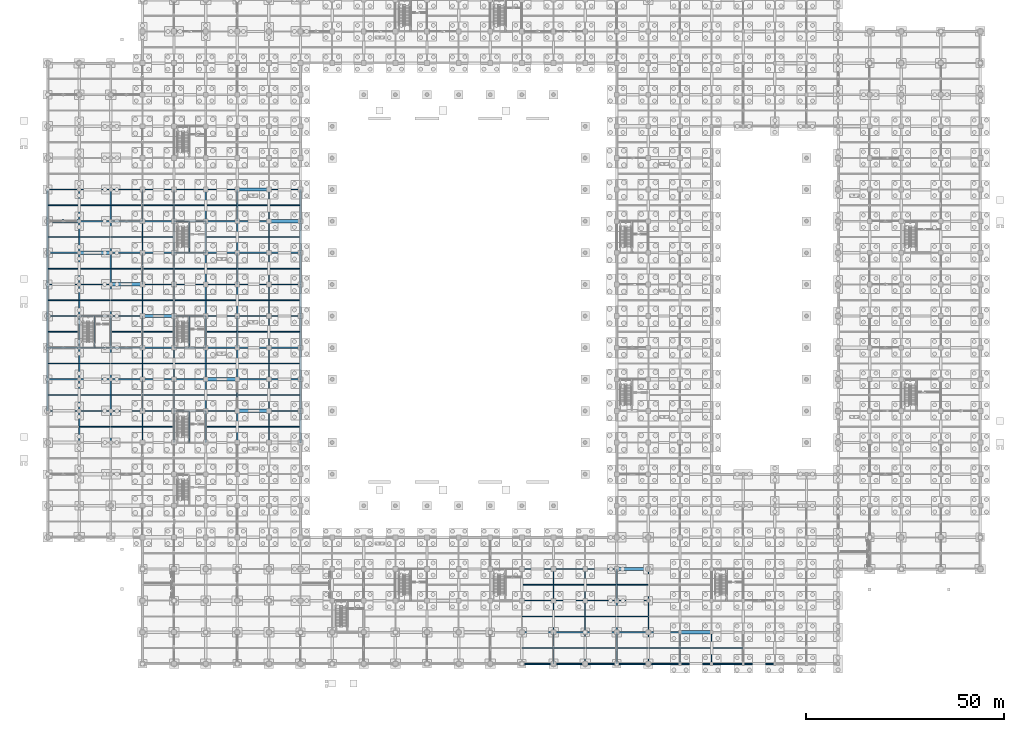
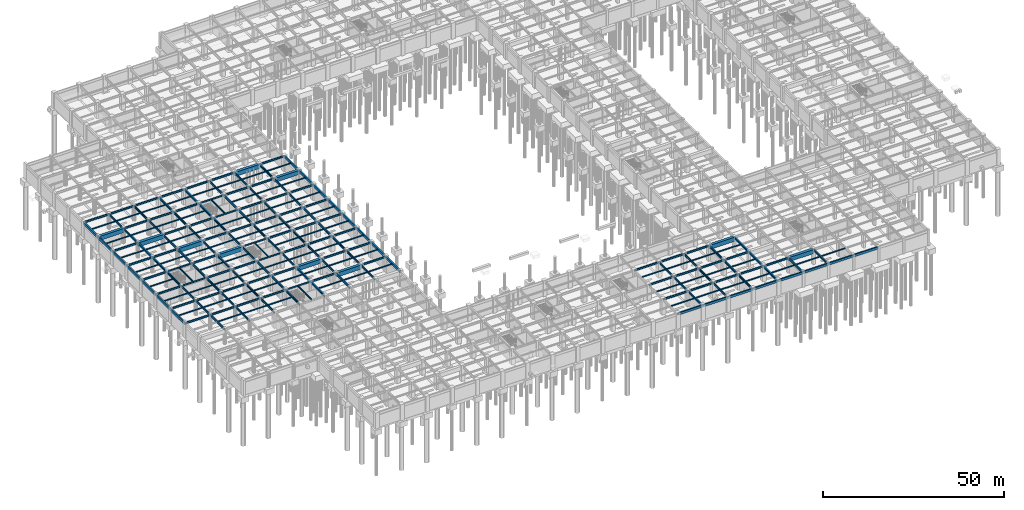
# One storey, part 60 of 97: 249 beams.
"""IFC4 building model written with IfcOpenShell, lengths in metres."""

from ifc_helpers import new_model, si_unit, direction, frame, origin, origin_2d, place, context, subcontext, project, spatial, rectangle, i_section, extrude, material, material_profile, profile_set, type_object, element, save


model = new_model("IFC4")

# Units and contexts
model_context = context("Model", 3, precision=1e-05, world=origin(), true_north=direction((0.0, 1.0)))
body_context = subcontext(model_context, "Body", "Model", "MODEL_VIEW")
ifc_project = project(units=[si_unit("LENGTHUNIT", "METRE"), si_unit("AREAUNIT", "SQUARE_METRE"), si_unit("VOLUMEUNIT", "CUBIC_METRE"), si_unit("PLANEANGLEUNIT", "RADIAN"), si_unit("MASSUNIT", "GRAM", prefix="KILO")], contexts=[model_context])

# Site, building, storey
site_placement = place(None, origin())
site = spatial("IfcSite", under=ifc_project, at=site_placement, CompositionType="ELEMENT")
building_placement = place(site_placement, origin())
building = spatial("IfcBuilding", under=site, at=building_placement, Name="Haebicheon Civic Stadium", CompositionType="ELEMENT")
storey_placement = place(building_placement, frame((0.0, 0.0, -5.39990234375)))
storey = spatial("IfcBuildingStorey", under=building, at=storey_placement, Name="B1", CompositionType="ELEMENT", Elevation=-5.39990234375)

# Beams
ifc_material_1 = material(Name="Steel SM355 (S355)", Category="steel")
ifc_material_profile_1 = material_profile(ifc_material_1, i_section(OverallWidth=0.199951171875, OverallDepth=0.5, WebThickness=0.010009765625, FlangeThickness=0.01611328125, at=origin_2d()), Name="H-500x200x10x16")
ifc_profile_set_1 = profile_set([ifc_material_profile_1], Name="Steel SM355 (S355)")
beam_type_1 = type_object("IfcBeamType", Name="BM-ST-H500", PredefinedType="BEAM", material=ifc_profile_set_1)
for number, where, z_axis, x_axis, name in (
    (1, (8.0, 80.0, 4.849853515625), (1.0, 0.0, 0.0), (0.0, 1.0, 0.0), "B1 beam L/2-3"),
    (2, (8.0, 88.0, 4.849853515625), (1.0, 0.0, 0.0), (0.0, 1.0, 0.0), "B1 beam M/2-3"),
    (3, (32.0, 64.0, 4.849853515625), (1.0, 0.0, 0.0), (0.0, 1.0, 0.0), "B1 beam J/5-6"),
    (4, (32.0, 80.0, 4.849853515625), (1.0, 0.0, 0.0), (0.0, 1.0, 0.0), "B1 beam L/5-6"),
    (5, (32.0, 88.0, 4.849853515625), (1.0, 0.0, 0.0), (0.0, 1.0, 0.0), "B1 beam M/5-6"),
    (6, (32.0, 104.0, 4.849853515625), (1.0, 0.0, 0.0), (0.0, 1.0, 0.0), "B1 beam P/5-6"),
    (7, (32.0, 112.0, 4.849853515625), (1.0, 0.0, 0.0), (0.0, 1.0, 0.0), "B1 beam Q/5-6"),
):
    element("IfcBeam", number, at=place(storey_placement, frame(where, z_axis=z_axis, x_axis=x_axis)), inside=storey, type_object=beam_type_1, material=ifc_profile_set_1, Name=name, PredefinedType="BEAM", context=body_context, shape_type="SweptSolid", body=[
        extrude(i_section(OverallWidth=0.199951171875, OverallDepth=0.5, WebThickness=0.010009765625, FlangeThickness=0.01611328125, at=origin_2d()), origin(), (0.0, 0.0, 1.0), 8.0),
    ])
for number, where, z_axis, x_axis, name in (
    (8, (11.8798828125, 80.10009765625, 4.849853515625), (0.0, 1.0, 0.0), (-1.0, 0.0, 0.0), "B1 KC-15 core dividing wall support beam"),
    (9, (35.8798828125, 56.10009765625, 4.849853515625), (0.0, 1.0, 0.0), (-1.0, 0.0, 0.0), "B1 KC-02 core dividing wall support beam"),
    (10, (35.8798828125, 80.10009765625, 4.849853515625), (0.0, 1.0, 0.0), (-1.0, 0.0, 0.0), "B1 KC-03 core dividing wall support beam"),
    (11, (35.8798828125, 104.10009765625, 4.849853515625), (0.0, 1.0, 0.0), (-1.0, 0.0, 0.0), "B1 KC-04 core dividing wall support beam"),
):
    element("IfcBeam", number, at=place(storey_placement, frame(where, z_axis=z_axis, x_axis=x_axis)), inside=storey, type_object=beam_type_1, material=ifc_profile_set_1, Name=name, PredefinedType="BEAM", context=body_context, shape_type="SweptSolid", body=[
        extrude(i_section(OverallWidth=0.199951171875, OverallDepth=0.5, WebThickness=0.010009765625, FlangeThickness=0.01611328125, at=origin_2d()), origin(), (0.0, 0.0, 1.0), 7.7998046875),
    ])
ifc_material_2 = material(Name="Steel SM355 (S355)", Category="steel")
ifc_material_profile_2 = material_profile(ifc_material_2, i_section(OverallWidth=0.300048828125, OverallDepth=0.60009765625, WebThickness=0.011962890625, FlangeThickness=0.02001953125, at=origin_2d()), Name="H-600x300x12x20")
ifc_profile_set_2 = profile_set([ifc_material_profile_2], Name="Steel SM355 (S355)")
beam_type_2 = type_object("IfcBeamType", Name="BM-ST-H600A", PredefinedType="BEAM", material=ifc_profile_set_2)
for number, where, z_axis, x_axis, name in (
    (12, (0.0, 64.0, 4.7998046875), (1.0, 0.0, 0.0), (0.0, 1.0, 0.0), "B1 beam J/1-2"),
    (13, (0.0, 72.0, 4.7998046875), (1.0, 0.0, 0.0), (0.0, 1.0, 0.0), "B1 beam K/1-2"),
    (14, (0.0, 80.0, 4.7998046875), (1.0, 0.0, 0.0), (0.0, 1.0, 0.0), "B1 beam L/1-2"),
    (15, (0.0, 88.0, 4.7998046875), (1.0, 0.0, 0.0), (0.0, 1.0, 0.0), "B1 beam M/1-2"),
    (16, (0.0, 96.0, 4.7998046875), (1.0, 0.0, 0.0), (0.0, 1.0, 0.0), "B1 beam N/1-2"),
    (17, (0.0, 104.0, 4.7998046875), (1.0, 0.0, 0.0), (0.0, 1.0, 0.0), "B1 beam P/1-2"),
    (18, (0.0, 120.0, 4.7998046875), (1.0, 0.0, 0.0), (0.0, 1.0, 0.0), "B1 beam R/1-2"),
    (19, (8.0, 64.0, 4.7998046875), (1.0, 0.0, 0.0), (0.0, 1.0, 0.0), "B1 beam J/2-3"),
    (20, (8.0, 72.0, 4.7998046875), (1.0, 0.0, 0.0), (0.0, 1.0, 0.0), "B1 beam K/2-3"),
    (21, (8.0, 96.0, 4.7998046875), (1.0, 0.0, 0.0), (0.0, 1.0, 0.0), "B1 beam N/2-3"),
    (22, (8.0, 112.0, 4.7998046875), (1.0, 0.0, 0.0), (0.0, 1.0, 0.0), "B1 beam Q/2-3"),
    (23, (8.0, 120.0, 4.7998046875), (1.0, 0.0, 0.0), (0.0, 1.0, 0.0), "B1 beam R/2-3"),
    (24, (16.0, 64.0, 4.7998046875), (1.0, 0.0, 0.0), (0.0, 1.0, 0.0), "B1 beam J/3-4"),
    (25, (16.0, 72.0, 4.7998046875), (1.0, 0.0, 0.0), (0.0, 1.0, 0.0), "B1 beam K/3-4"),
    (26, (16.0, 80.0, 4.7998046875), (1.0, 0.0, 0.0), (0.0, 1.0, 0.0), "B1 beam L/3-4"),
    (27, (16.0, 88.0, 4.7998046875), (1.0, 0.0, 0.0), (0.0, 1.0, 0.0), "B1 beam M/3-4"),
    (28, (16.0, 104.0, 4.7998046875), (1.0, 0.0, 0.0), (0.0, 1.0, 0.0), "B1 beam P/3-4"),
    (29, (16.0, 112.0, 4.7998046875), (1.0, 0.0, 0.0), (0.0, 1.0, 0.0), "B1 beam Q/3-4"),
    (30, (16.0, 120.0, 4.7998046875), (1.0, 0.0, 0.0), (0.0, 1.0, 0.0), "B1 beam R/3-4"),
    (31, (24.0, 64.0, 4.7998046875), (1.0, 0.0, 0.0), (0.0, 1.0, 0.0), "B1 beam J/4-5"),
    (32, (24.0, 72.0, 4.7998046875), (1.0, 0.0, 0.0), (0.0, 1.0, 0.0), "B1 beam K/4-5"),
    (33, (24.0, 80.0, 4.7998046875), (1.0, 0.0, 0.0), (0.0, 1.0, 0.0), "B1 beam L/4-5"),
    (34, (24.0, 96.0, 4.7998046875), (1.0, 0.0, 0.0), (0.0, 1.0, 0.0), "B1 beam N/4-5"),
    (35, (24.0, 104.0, 4.7998046875), (1.0, 0.0, 0.0), (0.0, 1.0, 0.0), "B1 beam P/4-5"),
    (36, (24.0, 112.0, 4.7998046875), (1.0, 0.0, 0.0), (0.0, 1.0, 0.0), "B1 beam Q/4-5"),
    (37, (24.0, 120.0, 4.7998046875), (1.0, 0.0, 0.0), (0.0, 1.0, 0.0), "B1 beam R/4-5"),
    (38, (32.0, 72.0, 4.7998046875), (1.0, 0.0, 0.0), (0.0, 1.0, 0.0), "B1 beam K/5-6"),
    (39, (32.0, 96.0, 4.7998046875), (1.0, 0.0, 0.0), (0.0, 1.0, 0.0), "B1 beam N/5-6"),
    (40, (32.0, 120.0, 4.7998046875), (1.0, 0.0, 0.0), (0.0, 1.0, 0.0), "B1 beam R/5-6"),
    (41, (40.0, 64.0, 4.7998046875), (1.0, 0.0, 0.0), (0.0, 1.0, 0.0), "B1 beam J/6-7"),
    (42, (40.0, 80.0, 4.7998046875), (1.0, 0.0, 0.0), (0.0, 1.0, 0.0), "B1 beam L/6-7"),
    (43, (40.0, 88.0, 4.7998046875), (1.0, 0.0, 0.0), (0.0, 1.0, 0.0), "B1 beam M/6-7"),
    (44, (40.0, 96.0, 4.7998046875), (1.0, 0.0, 0.0), (0.0, 1.0, 0.0), "B1 beam N/6-7"),
    (45, (40.0, 104.0, 4.7998046875), (1.0, 0.0, 0.0), (0.0, 1.0, 0.0), "B1 beam P/6-7"),
    (46, (40.0, 112.0, 4.7998046875), (1.0, 0.0, 0.0), (0.0, 1.0, 0.0), "B1 beam Q/6-7"),
    (47, (40.0, 120.0, 4.7998046875), (1.0, 0.0, 0.0), (0.0, 1.0, 0.0), "B1 beam R/6-7"),
    (48, (48.0, 72.0, 4.7998046875), (1.0, 0.0, 0.0), (0.0, 1.0, 0.0), "B1 beam K/7-8"),
    (49, (48.0, 80.0, 4.7998046875), (1.0, 0.0, 0.0), (0.0, 1.0, 0.0), "B1 beam L/7-8"),
    (50, (48.0, 88.0, 4.7998046875), (1.0, 0.0, 0.0), (0.0, 1.0, 0.0), "B1 beam M/7-8"),
    (51, (48.0, 96.0, 4.7998046875), (1.0, 0.0, 0.0), (0.0, 1.0, 0.0), "B1 beam N/7-8"),
    (52, (48.0, 104.0, 4.7998046875), (1.0, 0.0, 0.0), (0.0, 1.0, 0.0), "B1 beam P/7-8"),
    (53, (48.0, 112.0, 4.7998046875), (1.0, 0.0, 0.0), (0.0, 1.0, 0.0), "B1 beam Q/7-8"),
    (54, (56.0, 64.0, 4.7998046875), (1.0, 0.0, 0.0), (0.0, 1.0, 0.0), "B1 beam J/8-9"),
    (55, (56.0, 72.0, 4.7998046875), (1.0, 0.0, 0.0), (0.0, 1.0, 0.0), "B1 beam K/8-9"),
    (56, (56.0, 80.0, 4.7998046875), (1.0, 0.0, 0.0), (0.0, 1.0, 0.0), "B1 beam L/8-9"),
    (57, (56.0, 88.0, 4.7998046875), (1.0, 0.0, 0.0), (0.0, 1.0, 0.0), "B1 beam M/8-9"),
    (58, (56.0, 96.0, 4.7998046875), (1.0, 0.0, 0.0), (0.0, 1.0, 0.0), "B1 beam N/8-9"),
    (59, (56.0, 104.0, 4.7998046875), (1.0, 0.0, 0.0), (0.0, 1.0, 0.0), "B1 beam P/8-9"),
    (60, (56.0, 120.0, 4.7998046875), (1.0, 0.0, 0.0), (0.0, 1.0, 0.0), "B1 beam R/8-9"),
    (61, (120.0, 8.0, 4.75), (1.0, 0.0, 0.0), (0.0, 1.0, 0.0), "B1 beam B/16-17"),
    (62, (120.0, 16.0, 4.75), (1.0, 0.0, 0.0), (0.0, 1.0, 0.0), "B1 beam C/16-17"),
    (63, (120.0, 24.0, 4.7998046875), (1.0, 0.0, 0.0), (0.0, 1.0, 0.0), "B1 beam D/16-17"),
    (64, (128.0, 8.0, 4.75), (1.0, 0.0, 0.0), (0.0, 1.0, 0.0), "B1 beam B/17-18"),
    (65, (128.0, 16.0, 4.75), (1.0, 0.0, 0.0), (0.0, 1.0, 0.0), "B1 beam C/17-18"),
    (66, (128.0, 24.0, 4.7998046875), (1.0, 0.0, 0.0), (0.0, 1.0, 0.0), "B1 beam D/17-18"),
    (67, (136.0, 8.0, 4.75), (1.0, 0.0, 0.0), (0.0, 1.0, 0.0), "B1 beam B/18-19"),
    (68, (136.0, 16.0, 4.75), (1.0, 0.0, 0.0), (0.0, 1.0, 0.0), "B1 beam C/18-19"),
    (69, (136.0, 24.0, 4.7998046875), (1.0, 0.0, 0.0), (0.0, 1.0, 0.0), "B1 beam D/18-19"),
    (70, (144.0, 8.0, 4.75), (1.0, 0.0, 0.0), (0.0, 1.0, 0.0), "B1 beam B/19-20"),
    (71, (144.0, 16.0, 4.75), (1.0, 0.0, 0.0), (0.0, 1.0, 0.0), "B1 beam C/19-20"),
    (72, (152.0, 8.0, 4.75), (1.0, 0.0, 0.0), (0.0, 1.0, 0.0), "B1 beam B/20-21"),
):
    element("IfcBeam", number, at=place(storey_placement, frame(where, z_axis=z_axis, x_axis=x_axis)), inside=storey, type_object=beam_type_2, material=ifc_profile_set_2, Name=name, PredefinedType="BEAM", context=body_context, shape_type="SweptSolid", body=[
        extrude(i_section(OverallWidth=0.300048828125, OverallDepth=0.60009765625, WebThickness=0.011962890625, FlangeThickness=0.02001953125, at=origin_2d()), origin(), (0.0, 0.0, 1.0), 8.0),
    ])
ifc_material_3 = material(Name="Steel SM490", Category="steel")
ifc_material_profile_3 = material_profile(ifc_material_3, i_section(OverallWidth=0.300048828125, OverallDepth=0.699951171875, WebThickness=0.012939453125, FlangeThickness=0.02392578125, at=origin_2d()), Name="H-700x300x13x24")
ifc_profile_set_3 = profile_set([ifc_material_profile_3], Name="Steel SM490")
beam_type_3 = type_object("IfcBeamType", Name="BM-ST-H700", PredefinedType="BEAM", material=ifc_profile_set_3)
for number, where, z_axis, x_axis, name in (
    (73, (8.0, 56.0, 4.75), (0.0, 1.0, 0.0), (-1.0, 0.0, 0.0), "B1 girder 2/H-J"),
    (74, (8.0, 64.0, 4.75), (0.0, 1.0, 0.0), (-1.0, 0.0, 0.0), "B1 girder 2/J-K"),
    (75, (8.0, 72.0, 4.75), (0.0, 1.0, 0.0), (-1.0, 0.0, 0.0), "B1 girder 2/K-L"),
    (76, (8.0, 80.0, 4.75), (0.0, 1.0, 0.0), (-1.0, 0.0, 0.0), "B1 girder 2/L-M"),
    (77, (8.0, 88.0, 4.75), (0.0, 1.0, 0.0), (-1.0, 0.0, 0.0), "B1 girder 2/M-N"),
    (78, (8.0, 96.0, 4.75), (0.0, 1.0, 0.0), (-1.0, 0.0, 0.0), "B1 girder 2/N-P"),
    (79, (8.0, 104.0, 4.75), (0.0, 1.0, 0.0), (-1.0, 0.0, 0.0), "B1 girder 2/P-Q"),
    (80, (8.0, 112.0, 4.75), (0.0, 1.0, 0.0), (-1.0, 0.0, 0.0), "B1 girder 2/Q-R"),
    (81, (16.0, 56.0, 4.75), (0.0, 1.0, 0.0), (-1.0, 0.0, 0.0), "B1 girder 3/H-J"),
    (82, (16.0, 64.0, 4.75), (0.0, 1.0, 0.0), (-1.0, 0.0, 0.0), "B1 girder 3/J-K"),
    (83, (16.0, 72.0, 4.75), (0.0, 1.0, 0.0), (-1.0, 0.0, 0.0), "B1 girder 3/K-L"),
    (84, (16.0, 80.0, 4.75), (0.0, 1.0, 0.0), (-1.0, 0.0, 0.0), "B1 girder 3/L-M"),
    (85, (16.0, 88.0, 4.75), (0.0, 1.0, 0.0), (-1.0, 0.0, 0.0), "B1 girder 3/M-N"),
    (86, (16.0, 96.0, 4.75), (0.0, 1.0, 0.0), (-1.0, 0.0, 0.0), "B1 girder 3/N-P"),
    (87, (16.0, 104.0, 4.75), (0.0, 1.0, 0.0), (-1.0, 0.0, 0.0), "B1 girder 3/P-Q"),
    (88, (16.0, 112.0, 4.75), (0.0, 1.0, 0.0), (-1.0, 0.0, 0.0), "B1 girder 3/Q-R"),
    (89, (24.0, 56.0, 4.75), (0.0, 1.0, 0.0), (-1.0, 0.0, 0.0), "B1 girder 4/H-J"),
    (90, (24.0, 64.0, 4.75), (0.0, 1.0, 0.0), (-1.0, 0.0, 0.0), "B1 girder 4/J-K"),
    (91, (24.0, 72.0, 4.75), (0.0, 1.0, 0.0), (-1.0, 0.0, 0.0), "B1 girder 4/K-L"),
    (92, (24.0, 80.0, 4.75), (0.0, 1.0, 0.0), (-1.0, 0.0, 0.0), "B1 girder 4/L-M"),
    (93, (24.0, 88.0, 4.75), (0.0, 1.0, 0.0), (-1.0, 0.0, 0.0), "B1 girder 4/M-N"),
    (94, (24.0, 96.0, 4.75), (0.0, 1.0, 0.0), (-1.0, 0.0, 0.0), "B1 girder 4/N-P"),
    (95, (24.0, 104.0, 4.75), (0.0, 1.0, 0.0), (-1.0, 0.0, 0.0), "B1 girder 4/P-Q"),
    (96, (24.0, 112.0, 4.75), (0.0, 1.0, 0.0), (-1.0, 0.0, 0.0), "B1 girder 4/Q-R"),
    (97, (32.0, 56.0, 4.75), (0.0, 1.0, 0.0), (-1.0, 0.0, 0.0), "B1 girder 5/H-J"),
    (98, (32.0, 64.0, 4.75), (0.0, 1.0, 0.0), (-1.0, 0.0, 0.0), "B1 girder 5/J-K"),
    (99, (32.0, 72.0, 4.75), (0.0, 1.0, 0.0), (-1.0, 0.0, 0.0), "B1 girder 5/K-L"),
    (100, (32.0, 80.0, 4.75), (0.0, 1.0, 0.0), (-1.0, 0.0, 0.0), "B1 girder 5/L-M"),
    (101, (32.0, 88.0, 4.75), (0.0, 1.0, 0.0), (-1.0, 0.0, 0.0), "B1 girder 5/M-N"),
    (102, (32.0, 96.0, 4.75), (0.0, 1.0, 0.0), (-1.0, 0.0, 0.0), "B1 girder 5/N-P"),
    (103, (32.0, 104.0, 4.75), (0.0, 1.0, 0.0), (-1.0, 0.0, 0.0), "B1 girder 5/P-Q"),
    (104, (32.0, 112.0, 4.75), (0.0, 1.0, 0.0), (-1.0, 0.0, 0.0), "B1 girder 5/Q-R"),
    (105, (40.0, 56.0, 4.75), (0.0, 1.0, 0.0), (-1.0, 0.0, 0.0), "B1 girder 6/H-J"),
    (106, (40.0, 64.0, 4.75), (0.0, 1.0, 0.0), (-1.0, 0.0, 0.0), "B1 girder 6/J-K"),
    (107, (40.0, 72.0, 4.75), (0.0, 1.0, 0.0), (-1.0, 0.0, 0.0), "B1 girder 6/K-L"),
    (108, (40.0, 80.0, 4.75), (0.0, 1.0, 0.0), (-1.0, 0.0, 0.0), "B1 girder 6/L-M"),
    (109, (40.0, 88.0, 4.75), (0.0, 1.0, 0.0), (-1.0, 0.0, 0.0), "B1 girder 6/M-N"),
    (110, (40.0, 96.0, 4.75), (0.0, 1.0, 0.0), (-1.0, 0.0, 0.0), "B1 girder 6/N-P"),
    (111, (40.0, 104.0, 4.75), (0.0, 1.0, 0.0), (-1.0, 0.0, 0.0), "B1 girder 6/P-Q"),
    (112, (40.0, 112.0, 4.75), (0.0, 1.0, 0.0), (-1.0, 0.0, 0.0), "B1 girder 6/Q-R"),
    (113, (48.0, 56.0, 4.75), (0.0, 1.0, 0.0), (-1.0, 0.0, 0.0), "B1 girder 7/H-J"),
    (114, (48.0, 64.0, 4.75), (0.0, 1.0, 0.0), (-1.0, 0.0, 0.0), "B1 girder 7/J-K"),
    (115, (48.0, 72.0, 4.75), (0.0, 1.0, 0.0), (-1.0, 0.0, 0.0), "B1 girder 7/K-L"),
    (116, (48.0, 80.0, 4.75), (0.0, 1.0, 0.0), (-1.0, 0.0, 0.0), "B1 girder 7/L-M"),
    (117, (48.0, 88.0, 4.75), (0.0, 1.0, 0.0), (-1.0, 0.0, 0.0), "B1 girder 7/M-N"),
    (118, (48.0, 96.0, 4.75), (0.0, 1.0, 0.0), (-1.0, 0.0, 0.0), "B1 girder 7/N-P"),
    (119, (48.0, 104.0, 4.75), (0.0, 1.0, 0.0), (-1.0, 0.0, 0.0), "B1 girder 7/P-Q"),
    (120, (48.0, 112.0, 4.75), (0.0, 1.0, 0.0), (-1.0, 0.0, 0.0), "B1 girder 7/Q-R"),
    (121, (56.0, 56.0, 4.75), (0.0, 1.0, 0.0), (-1.0, 0.0, 0.0), "B1 girder 8/H-J"),
    (122, (56.0, 64.0, 4.75), (0.0, 1.0, 0.0), (-1.0, 0.0, 0.0), "B1 girder 8/J-K"),
    (123, (56.0, 72.0, 4.75), (0.0, 1.0, 0.0), (-1.0, 0.0, 0.0), "B1 girder 8/K-L"),
    (124, (56.0, 80.0, 4.75), (0.0, 1.0, 0.0), (-1.0, 0.0, 0.0), "B1 girder 8/L-M"),
    (125, (56.0, 88.0, 4.75), (0.0, 1.0, 0.0), (-1.0, 0.0, 0.0), "B1 girder 8/M-N"),
    (126, (56.0, 96.0, 4.75), (0.0, 1.0, 0.0), (-1.0, 0.0, 0.0), "B1 girder 8/N-P"),
    (127, (56.0, 104.0, 4.75), (0.0, 1.0, 0.0), (-1.0, 0.0, 0.0), "B1 girder 8/P-Q"),
    (128, (56.0, 112.0, 4.75), (0.0, 1.0, 0.0), (-1.0, 0.0, 0.0), "B1 girder 8/Q-R"),
    (129, (128.0, 0.0, 4.699951171875), (0.0, 1.0, 0.0), (-1.0, 0.0, 0.0), "B1 girder 17/A-B"),
    (130, (128.0, 8.0, 4.699951171875), (0.0, 1.0, 0.0), (-1.0, 0.0, 0.0), "B1 girder 17/B-C"),
    (131, (128.0, 16.0, 4.75), (0.0, 1.0, 0.0), (-1.0, 0.0, 0.0), "B1 girder 17/C-D"),
    (132, (136.0, 0.0, 4.699951171875), (0.0, 1.0, 0.0), (-1.0, 0.0, 0.0), "B1 girder 18/A-B"),
    (133, (136.0, 8.0, 4.699951171875), (0.0, 1.0, 0.0), (-1.0, 0.0, 0.0), "B1 girder 18/B-C"),
    (134, (136.0, 16.0, 4.75), (0.0, 1.0, 0.0), (-1.0, 0.0, 0.0), "B1 girder 18/C-D"),
    (135, (144.0, 0.0, 4.699951171875), (0.0, 1.0, 0.0), (-1.0, 0.0, 0.0), "B1 girder 19/A-B"),
    (136, (144.0, 8.0, 4.699951171875), (0.0, 1.0, 0.0), (-1.0, 0.0, 0.0), "B1 girder 19/B-C"),
    (137, (144.0, 16.0, 4.75), (0.0, 1.0, 0.0), (-1.0, 0.0, 0.0), "B1 girder 19/C-D"),
    (138, (152.0, 0.0, 4.699951171875), (0.0, 1.0, 0.0), (-1.0, 0.0, 0.0), "B1 girder 20/A-B"),
    (139, (152.0, 8.0, 4.699951171875), (0.0, 1.0, 0.0), (-1.0, 0.0, 0.0), "B1 girder 20/B-C"),
    (140, (152.0, 16.0, 4.75), (0.0, 1.0, 0.0), (-1.0, 0.0, 0.0), "B1 girder 20/C-D"),
    (141, (160.0, 0.0, 4.699951171875), (0.0, 1.0, 0.0), (-1.0, 0.0, 0.0), "B1 girder 21/A-B"),
    (142, (168.0, 0.0, 4.75), (0.0, 1.0, 0.0), (-1.0, 0.0, 0.0), "B1 girder 22/A-B"),
):
    element("IfcBeam", number, at=place(storey_placement, frame(where, z_axis=z_axis, x_axis=x_axis)), inside=storey, type_object=beam_type_3, material=ifc_profile_set_3, Name=name, PredefinedType="BEAM", context=body_context, shape_type="SweptSolid", body=[
        extrude(i_section(OverallWidth=0.300048828125, OverallDepth=0.699951171875, WebThickness=0.012939453125, FlangeThickness=0.02392578125, at=origin_2d()), origin(), (0.0, 0.0, 1.0), 8.0),
    ])
ifc_material_4 = material(Name="Concrete C40/50", Category="concrete")
ifc_material_profile_4 = material_profile(ifc_material_4, rectangle(XDim=0.85009765625, YDim=1.39990234375, at=origin_2d()), Name="RC-TG-850x1400")
ifc_profile_set_4 = profile_set([ifc_material_profile_4], Name="Concrete C40/50")
beam_type_4 = type_object("IfcBeamType", Name="BM-TG-850x1400", PredefinedType="BEAM", material=ifc_profile_set_4)
for number, where, z_axis, x_axis, name in (
    (143, (0.0, 112.0, 4.39990234375), (1.0, 0.0, 0.0), (0.0, 1.0, 0.0), "B1 beam Q/1-2"),
    (144, (8.0, 104.0, 4.39990234375), (1.0, 0.0, 0.0), (0.0, 1.0, 0.0), "B1 beam P/2-3"),
    (145, (16.0, 96.0, 4.39990234375), (1.0, 0.0, 0.0), (0.0, 1.0, 0.0), "B1 beam N/3-4"),
    (146, (24.0, 88.0, 4.39990234375), (1.0, 0.0, 0.0), (0.0, 1.0, 0.0), "B1 beam M/4-5"),
    (147, (40.0, 72.0, 4.39990234375), (1.0, 0.0, 0.0), (0.0, 1.0, 0.0), "B1 beam K/6-7"),
    (148, (48.0, 64.0, 4.39990234375), (1.0, 0.0, 0.0), (0.0, 1.0, 0.0), "B1 beam J/7-8"),
    (149, (48.0, 120.0, 4.39990234375), (1.0, 0.0, 0.0), (0.0, 1.0, 0.0), "B1 beam R/7-8"),
    (150, (56.0, 112.0, 4.39990234375), (1.0, 0.0, 0.0), (0.0, 1.0, 0.0), "B1 beam Q/8-9"),
    (151, (144.0, 24.0, 4.39990234375), (1.0, 0.0, 0.0), (0.0, 1.0, 0.0), "B1 beam D/19-20"),
    (152, (160.0, 8.0, 4.39990234375), (1.0, 0.0, 0.0), (0.0, 1.0, 0.0), "B1 beam B/21-22"),
):
    element("IfcBeam", number, at=place(storey_placement, frame(where, z_axis=z_axis, x_axis=x_axis)), inside=storey, type_object=beam_type_4, material=ifc_profile_set_4, Name=name, PredefinedType="BEAM", context=body_context, shape_type="SweptSolid", body=[
        extrude(rectangle(XDim=0.85009765625, YDim=1.39990234375, at=origin_2d()), origin(), (0.0, 0.0, 1.0), 8.0),
    ])
ifc_material_5 = material(Name="Steel SM355 (S355)", Category="steel")
ifc_material_profile_5 = material_profile(ifc_material_5, i_section(OverallWidth=0.199951171875, OverallDepth=0.39990234375, WebThickness=0.008056640625, FlangeThickness=0.012939453125, at=origin_2d()), Name="H-400x200x8x13")
ifc_profile_set_5 = profile_set([ifc_material_profile_5], Name="Steel SM355 (S355)")
beam_type_5 = type_object("IfcBeamType", Name="JST-ST-H400", PredefinedType="JOIST", material=ifc_profile_set_5)
for number, where, z_axis, x_axis, name in (
    (153, (0.22509765625, 68.0, 4.89990234375), (1.0, 0.0, 0.0), (0.0, 1.0, 0.0), "B1 secondary joist 00-08"),
    (154, (0.22509765625, 76.0, 4.89990234375), (1.0, 0.0, 0.0), (0.0, 1.0, 0.0), "B1 secondary joist 00-09"),
    (155, (0.22509765625, 84.0, 4.89990234375), (1.0, 0.0, 0.0), (0.0, 1.0, 0.0), "B1 secondary joist 00-10"),
    (156, (0.22509765625, 92.0, 4.89990234375), (1.0, 0.0, 0.0), (0.0, 1.0, 0.0), "B1 secondary joist 00-11"),
    (157, (0.22509765625, 100.0, 4.89990234375), (1.0, 0.0, 0.0), (0.0, 1.0, 0.0), "B1 secondary joist 00-12"),
    (158, (0.22509765625, 108.0, 4.89990234375), (1.0, 0.0, 0.0), (0.0, 1.0, 0.0), "B1 secondary joist 00-13"),
    (159, (0.22509765625, 116.0, 4.89990234375), (1.0, 0.0, 0.0), (0.0, 1.0, 0.0), "B1 secondary joist 00-14"),
):
    element("IfcBeam", number, at=place(storey_placement, frame(where, z_axis=z_axis, x_axis=x_axis)), inside=storey, type_object=beam_type_5, material=ifc_profile_set_5, Name=name, PredefinedType="JOIST", context=body_context, shape_type="SweptSolid", body=[
        extrude(i_section(OverallWidth=0.199951171875, OverallDepth=0.39990234375, WebThickness=0.008056640625, FlangeThickness=0.012939453125, at=origin_2d()), origin(), (0.0, 0.0, 1.0), 7.625),
    ])
for number, where, z_axis, x_axis, name in (
    (160, (8.14990234375, 60.0, 4.89990234375), (1.0, 0.0, 0.0), (0.0, 1.0, 0.0), "B1 secondary joist 01-07"),
    (161, (8.14990234375, 68.0, 4.89990234375), (1.0, 0.0, 0.0), (0.0, 1.0, 0.0), "B1 secondary joist 01-08"),
    (162, (8.14990234375, 76.0, 4.89990234375), (1.0, 0.0, 0.0), (0.0, 1.0, 0.0), "B1 secondary joist 01-09"),
    (163, (8.14990234375, 92.0, 4.89990234375), (1.0, 0.0, 0.0), (0.0, 1.0, 0.0), "B1 secondary joist 01-11"),
    (164, (8.14990234375, 100.0, 4.89990234375), (1.0, 0.0, 0.0), (0.0, 1.0, 0.0), "B1 secondary joist 01-12"),
    (165, (8.14990234375, 108.0, 4.89990234375), (1.0, 0.0, 0.0), (0.0, 1.0, 0.0), "B1 secondary joist 01-13"),
    (166, (8.14990234375, 116.0, 4.89990234375), (1.0, 0.0, 0.0), (0.0, 1.0, 0.0), "B1 secondary joist 01-14"),
    (167, (16.14990234375, 60.0, 4.89990234375), (1.0, 0.0, 0.0), (0.0, 1.0, 0.0), "B1 secondary joist 02-07"),
    (168, (16.14990234375, 68.0, 4.89990234375), (1.0, 0.0, 0.0), (0.0, 1.0, 0.0), "B1 secondary joist 02-08"),
    (169, (16.14990234375, 76.0, 4.89990234375), (1.0, 0.0, 0.0), (0.0, 1.0, 0.0), "B1 secondary joist 02-09"),
    (170, (16.14990234375, 84.0, 4.89990234375), (1.0, 0.0, 0.0), (0.0, 1.0, 0.0), "B1 secondary joist 02-10"),
    (171, (16.14990234375, 92.0, 4.89990234375), (1.0, 0.0, 0.0), (0.0, 1.0, 0.0), "B1 secondary joist 02-11"),
    (172, (16.14990234375, 100.0, 4.89990234375), (1.0, 0.0, 0.0), (0.0, 1.0, 0.0), "B1 secondary joist 02-12"),
    (173, (16.14990234375, 108.0, 4.89990234375), (1.0, 0.0, 0.0), (0.0, 1.0, 0.0), "B1 secondary joist 02-13"),
    (174, (16.14990234375, 116.0, 4.89990234375), (1.0, 0.0, 0.0), (0.0, 1.0, 0.0), "B1 secondary joist 02-14"),
    (175, (24.14990234375, 60.0, 4.89990234375), (1.0, 0.0, 0.0), (0.0, 1.0, 0.0), "B1 secondary joist 03-07"),
    (176, (24.14990234375, 68.0, 4.89990234375), (1.0, 0.0, 0.0), (0.0, 1.0, 0.0), "B1 secondary joist 03-08"),
    (177, (24.14990234375, 76.0, 4.89990234375), (1.0, 0.0, 0.0), (0.0, 1.0, 0.0), "B1 secondary joist 03-09"),
    (178, (24.14990234375, 84.0, 4.89990234375), (1.0, 0.0, 0.0), (0.0, 1.0, 0.0), "B1 secondary joist 03-10"),
    (179, (24.14990234375, 92.0, 4.89990234375), (1.0, 0.0, 0.0), (0.0, 1.0, 0.0), "B1 secondary joist 03-11"),
    (180, (24.14990234375, 100.0, 4.89990234375), (1.0, 0.0, 0.0), (0.0, 1.0, 0.0), "B1 secondary joist 03-12"),
    (181, (24.14990234375, 108.0, 4.89990234375), (1.0, 0.0, 0.0), (0.0, 1.0, 0.0), "B1 secondary joist 03-13"),
    (182, (24.14990234375, 116.0, 4.89990234375), (1.0, 0.0, 0.0), (0.0, 1.0, 0.0), "B1 secondary joist 03-14"),
    (183, (32.14990234375, 68.0, 4.89990234375), (1.0, 0.0, 0.0), (0.0, 1.0, 0.0), "B1 secondary joist 04-08"),
    (184, (32.14990234375, 76.0, 4.89990234375), (1.0, 0.0, 0.0), (0.0, 1.0, 0.0), "B1 secondary joist 04-09"),
    (185, (32.14990234375, 92.0, 4.89990234375), (1.0, 0.0, 0.0), (0.0, 1.0, 0.0), "B1 secondary joist 04-11"),
    (186, (32.14990234375, 100.0, 4.89990234375), (1.0, 0.0, 0.0), (0.0, 1.0, 0.0), "B1 secondary joist 04-12"),
    (187, (32.14990234375, 116.0, 4.89990234375), (1.0, 0.0, 0.0), (0.0, 1.0, 0.0), "B1 secondary joist 04-14"),
    (188, (40.14990234375, 60.0, 4.89990234375), (1.0, 0.0, 0.0), (0.0, 1.0, 0.0), "B1 secondary joist 05-07"),
    (189, (40.14990234375, 68.0, 4.89990234375), (1.0, 0.0, 0.0), (0.0, 1.0, 0.0), "B1 secondary joist 05-08"),
    (190, (40.14990234375, 76.0, 4.89990234375), (1.0, 0.0, 0.0), (0.0, 1.0, 0.0), "B1 secondary joist 05-09"),
    (191, (40.14990234375, 84.0, 4.89990234375), (1.0, 0.0, 0.0), (0.0, 1.0, 0.0), "B1 secondary joist 05-10"),
    (192, (40.14990234375, 92.0, 4.89990234375), (1.0, 0.0, 0.0), (0.0, 1.0, 0.0), "B1 secondary joist 05-11"),
    (193, (40.14990234375, 100.0, 4.89990234375), (1.0, 0.0, 0.0), (0.0, 1.0, 0.0), "B1 secondary joist 05-12"),
    (194, (40.14990234375, 108.0, 4.89990234375), (1.0, 0.0, 0.0), (0.0, 1.0, 0.0), "B1 secondary joist 05-13"),
    (195, (40.14990234375, 116.0, 4.89990234375), (1.0, 0.0, 0.0), (0.0, 1.0, 0.0), "B1 secondary joist 05-14"),
    (196, (48.14990234375, 60.0, 4.89990234375), (1.0, 0.0, 0.0), (0.0, 1.0, 0.0), "B1 secondary joist 06-07"),
    (197, (48.14990234375, 68.0, 4.89990234375), (1.0, 0.0, 0.0), (0.0, 1.0, 0.0), "B1 secondary joist 06-08"),
    (198, (48.14990234375, 76.0, 4.89990234375), (1.0, 0.0, 0.0), (0.0, 1.0, 0.0), "B1 secondary joist 06-09"),
    (199, (48.14990234375, 84.0, 4.89990234375), (1.0, 0.0, 0.0), (0.0, 1.0, 0.0), "B1 secondary joist 06-10"),
    (200, (48.14990234375, 92.0, 4.89990234375), (1.0, 0.0, 0.0), (0.0, 1.0, 0.0), "B1 secondary joist 06-11"),
    (201, (48.14990234375, 100.0, 4.89990234375), (1.0, 0.0, 0.0), (0.0, 1.0, 0.0), "B1 secondary joist 06-12"),
    (202, (48.14990234375, 108.0, 4.89990234375), (1.0, 0.0, 0.0), (0.0, 1.0, 0.0), "B1 secondary joist 06-13"),
    (203, (48.14990234375, 116.0, 4.89990234375), (1.0, 0.0, 0.0), (0.0, 1.0, 0.0), "B1 secondary joist 06-14"),
):
    element("IfcBeam", number, at=place(storey_placement, frame(where, z_axis=z_axis, x_axis=x_axis)), inside=storey, type_object=beam_type_5, material=ifc_profile_set_5, Name=name, PredefinedType="JOIST", context=body_context, shape_type="SweptSolid", body=[
        extrude(i_section(OverallWidth=0.199951171875, OverallDepth=0.39990234375, WebThickness=0.008056640625, FlangeThickness=0.012939453125, at=origin_2d()), origin(), (0.0, 0.0, 1.0), 7.7001953125),
    ])
for number, where, z_axis, x_axis, name in (
    (204, (56.14990234375, 60.0, 4.89990234375), (1.0, 0.0, 0.0), (0.0, 1.0, 0.0), "B1 secondary joist 07-07"),
    (205, (56.14990234375, 68.0, 4.89990234375), (1.0, 0.0, 0.0), (0.0, 1.0, 0.0), "B1 secondary joist 07-08"),
    (206, (56.14990234375, 76.0, 4.89990234375), (1.0, 0.0, 0.0), (0.0, 1.0, 0.0), "B1 secondary joist 07-09"),
    (207, (56.14990234375, 84.0, 4.89990234375), (1.0, 0.0, 0.0), (0.0, 1.0, 0.0), "B1 secondary joist 07-10"),
    (208, (56.14990234375, 92.0, 4.89990234375), (1.0, 0.0, 0.0), (0.0, 1.0, 0.0), "B1 secondary joist 07-11"),
    (209, (56.14990234375, 100.0, 4.89990234375), (1.0, 0.0, 0.0), (0.0, 1.0, 0.0), "B1 secondary joist 07-12"),
    (210, (56.14990234375, 108.0, 4.89990234375), (1.0, 0.0, 0.0), (0.0, 1.0, 0.0), "B1 secondary joist 07-13"),
    (211, (56.14990234375, 116.0, 4.89990234375), (1.0, 0.0, 0.0), (0.0, 1.0, 0.0), "B1 secondary joist 07-14"),
):
    element("IfcBeam", number, at=place(storey_placement, frame(where, z_axis=z_axis, x_axis=x_axis)), inside=storey, type_object=beam_type_5, material=ifc_profile_set_5, Name=name, PredefinedType="JOIST", context=body_context, shape_type="SweptSolid", body=[
        extrude(i_section(OverallWidth=0.199951171875, OverallDepth=0.39990234375, WebThickness=0.008056640625, FlangeThickness=0.012939453125, at=origin_2d()), origin(), (0.0, 0.0, 1.0), 7.625),
    ])
for number, where, z_axis, x_axis, name in (
    (212, (120.14990234375, 4.0, 4.849853515625), (1.0, 0.0, 0.0), (0.0, 1.0, 0.0), "B1 secondary joist 15-00"),
    (213, (120.14990234375, 12.0, 4.849853515625), (1.0, 0.0, 0.0), (0.0, 1.0, 0.0), "B1 secondary joist 15-01"),
    (214, (120.14990234375, 20.0, 4.89990234375), (1.0, 0.0, 0.0), (0.0, 1.0, 0.0), "B1 secondary joist 15-02"),
    (215, (128.14990234375, 4.0, 4.849853515625), (1.0, 0.0, 0.0), (0.0, 1.0, 0.0), "B1 secondary joist 16-00"),
    (216, (128.14990234375, 12.0, 4.849853515625), (1.0, 0.0, 0.0), (0.0, 1.0, 0.0), "B1 secondary joist 16-01"),
    (217, (128.14990234375, 20.0, 4.89990234375), (1.0, 0.0, 0.0), (0.0, 1.0, 0.0), "B1 secondary joist 16-02"),
    (218, (136.14990234375, 4.0, 4.849853515625), (1.0, 0.0, 0.0), (0.0, 1.0, 0.0), "B1 secondary joist 17-00"),
    (219, (136.14990234375, 12.0, 4.849853515625), (1.0, 0.0, 0.0), (0.0, 1.0, 0.0), "B1 secondary joist 17-01"),
    (220, (136.14990234375, 20.0, 4.89990234375), (1.0, 0.0, 0.0), (0.0, 1.0, 0.0), "B1 secondary joist 17-02"),
    (221, (144.14990234375, 4.0, 4.849853515625), (1.0, 0.0, 0.0), (0.0, 1.0, 0.0), "B1 secondary joist 18-00"),
    (222, (144.14990234375, 12.0, 4.849853515625), (1.0, 0.0, 0.0), (0.0, 1.0, 0.0), "B1 secondary joist 18-01"),
    (223, (144.14990234375, 20.0, 4.89990234375), (1.0, 0.0, 0.0), (0.0, 1.0, 0.0), "B1 secondary joist 18-02"),
    (224, (152.14990234375, 4.0, 4.849853515625), (1.0, 0.0, 0.0), (0.0, 1.0, 0.0), "B1 secondary joist 19-00"),
    (225, (160.14990234375, 4.0, 4.89990234375), (1.0, 0.0, 0.0), (0.0, 1.0, 0.0), "B1 secondary joist 20-00"),
    (226, (168.14990234375, 4.0, 4.89990234375), (1.0, 0.0, 0.0), (0.0, 1.0, 0.0), "B1 secondary joist 21-00"),
):
    element("IfcBeam", number, at=place(storey_placement, frame(where, z_axis=z_axis, x_axis=x_axis)), inside=storey, type_object=beam_type_5, material=ifc_profile_set_5, Name=name, PredefinedType="JOIST", context=body_context, shape_type="SweptSolid", body=[
        extrude(i_section(OverallWidth=0.199951171875, OverallDepth=0.39990234375, WebThickness=0.008056640625, FlangeThickness=0.012939453125, at=origin_2d()), origin(), (0.0, 0.0, 1.0), 7.7001953125),
    ])
ifc_material_6 = material(Name="Concrete C40/50", Category="concrete")
ifc_material_profile_6 = material_profile(ifc_material_6, rectangle(XDim=0.39990234375, YDim=0.75, at=origin_2d()), Name="RC-SP-400x750")
ifc_profile_set_6 = profile_set([ifc_material_profile_6], Name="Concrete C40/50")
beam_type_6 = type_object("IfcBeamType", Name="SPD-RC-400x750", PredefinedType="SPANDREL", material=ifc_profile_set_6)
for number, where, z_axis, x_axis, name in (
    (227, (120.0, 0.0, 4.6748046875), (1.0, 0.0, 0.0), (0.0, 1.0, 0.0), "B1 beam A/16-17"),
    (228, (128.0, 0.0, 4.6748046875), (1.0, 0.0, 0.0), (0.0, 1.0, 0.0), "B1 beam A/17-18"),
    (229, (136.0, 0.0, 4.6748046875), (1.0, 0.0, 0.0), (0.0, 1.0, 0.0), "B1 beam A/18-19"),
    (230, (144.0, 0.0, 4.6748046875), (1.0, 0.0, 0.0), (0.0, 1.0, 0.0), "B1 beam A/19-20"),
    (231, (152.0, 0.0, 4.6748046875), (1.0, 0.0, 0.0), (0.0, 1.0, 0.0), "B1 beam A/20-21"),
    (232, (160.0, 0.0, 4.724853515625), (1.0, 0.0, 0.0), (0.0, 1.0, 0.0), "B1 beam A/21-22"),
    (233, (168.0, 0.0, 4.724853515625), (1.0, 0.0, 0.0), (0.0, 1.0, 0.0), "B1 beam A/22-23"),
    (234, (176.0, 0.0, 4.724853515625), (1.0, 0.0, 0.0), (0.0, 1.0, 0.0), "B1 beam A/23-24"),
):
    element("IfcBeam", number, at=place(storey_placement, frame(where, z_axis=z_axis, x_axis=x_axis)), inside=storey, type_object=beam_type_6, material=ifc_profile_set_6, Name=name, PredefinedType="SPANDREL", context=body_context, shape_type="SweptSolid", body=[
        extrude(rectangle(XDim=0.39990234375, YDim=0.75, at=origin_2d()), origin(), (0.0, 0.0, 1.0), 8.0),
    ])
ifc_material_7 = material(Name="Concrete C40/50", Category="concrete")
ifc_material_profile_7 = material_profile(ifc_material_7, rectangle(XDim=0.449951171875, YDim=0.85009765625, at=origin_2d()), Name="RC-SP-450x850")
ifc_profile_set_7 = profile_set([ifc_material_profile_7], Name="Concrete C40/50")
beam_type_7 = type_object("IfcBeamType", Name="SPD-RC-450x850", PredefinedType="SPANDREL", material=ifc_profile_set_7)
for number, where, z_axis, x_axis, name in (
    (235, (0.0, 64.0, 4.6748046875), (0.0, 1.0, 0.0), (-1.0, 0.0, 0.0), "B1 girder 1/J-K"),
    (236, (0.0, 72.0, 4.6748046875), (0.0, 1.0, 0.0), (-1.0, 0.0, 0.0), "B1 girder 1/K-L"),
    (237, (0.0, 80.0, 4.6748046875), (0.0, 1.0, 0.0), (-1.0, 0.0, 0.0), "B1 girder 1/L-M"),
    (238, (0.0, 88.0, 4.6748046875), (0.0, 1.0, 0.0), (-1.0, 0.0, 0.0), "B1 girder 1/M-N"),
    (239, (0.0, 96.0, 4.6748046875), (0.0, 1.0, 0.0), (-1.0, 0.0, 0.0), "B1 girder 1/N-P"),
    (240, (0.0, 104.0, 4.6748046875), (0.0, 1.0, 0.0), (-1.0, 0.0, 0.0), "B1 girder 1/P-Q"),
    (241, (0.0, 112.0, 4.6748046875), (0.0, 1.0, 0.0), (-1.0, 0.0, 0.0), "B1 girder 1/Q-R"),
    (242, (64.0, 56.0, 4.6748046875), (0.0, 1.0, 0.0), (-1.0, 0.0, 0.0), "B1 girder 9/H-J"),
    (243, (64.0, 64.0, 4.6748046875), (0.0, 1.0, 0.0), (-1.0, 0.0, 0.0), "B1 girder 9/J-K"),
    (244, (64.0, 72.0, 4.6748046875), (0.0, 1.0, 0.0), (-1.0, 0.0, 0.0), "B1 girder 9/K-L"),
    (245, (64.0, 80.0, 4.6748046875), (0.0, 1.0, 0.0), (-1.0, 0.0, 0.0), "B1 girder 9/L-M"),
    (246, (64.0, 88.0, 4.6748046875), (0.0, 1.0, 0.0), (-1.0, 0.0, 0.0), "B1 girder 9/M-N"),
    (247, (64.0, 96.0, 4.6748046875), (0.0, 1.0, 0.0), (-1.0, 0.0, 0.0), "B1 girder 9/N-P"),
    (248, (64.0, 104.0, 4.6748046875), (0.0, 1.0, 0.0), (-1.0, 0.0, 0.0), "B1 girder 9/P-Q"),
    (249, (64.0, 112.0, 4.6748046875), (0.0, 1.0, 0.0), (-1.0, 0.0, 0.0), "B1 girder 9/Q-R"),
):
    element("IfcBeam", number, at=place(storey_placement, frame(where, z_axis=z_axis, x_axis=x_axis)), inside=storey, type_object=beam_type_7, material=ifc_profile_set_7, Name=name, PredefinedType="SPANDREL", context=body_context, shape_type="SweptSolid", body=[
        extrude(rectangle(XDim=0.449951171875, YDim=0.85009765625, at=origin_2d()), origin(), (0.0, 0.0, 1.0), 8.0),
    ])

save(model, "model.ifc")
